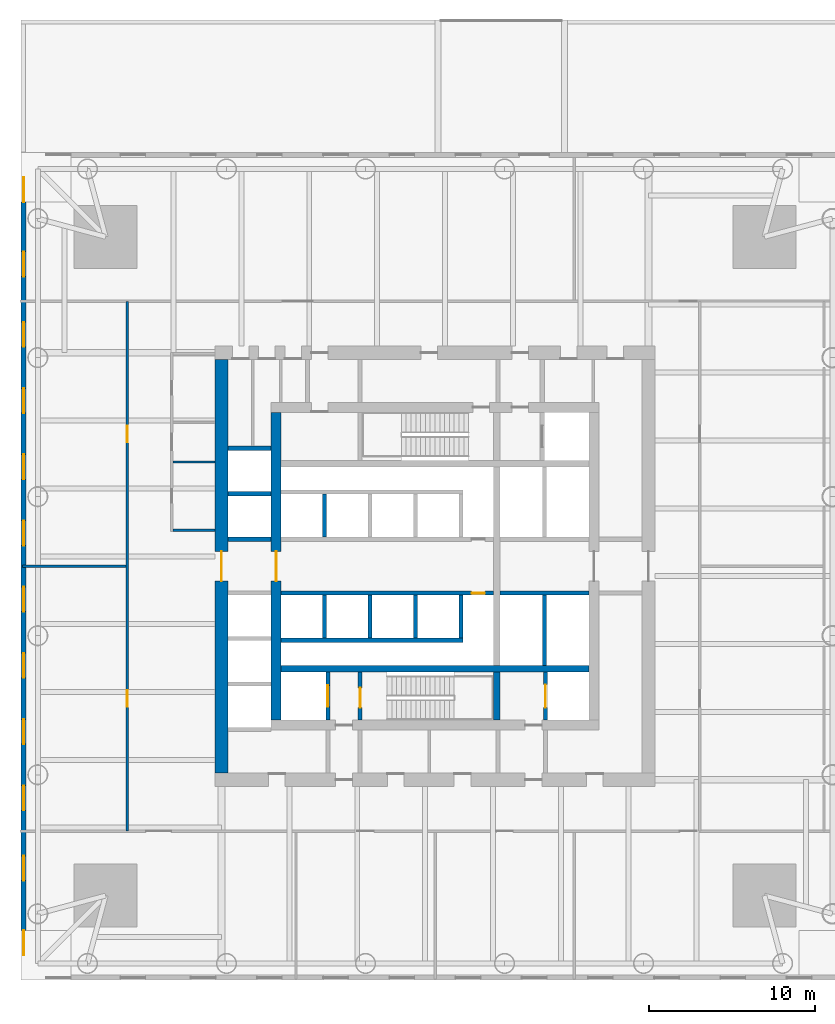
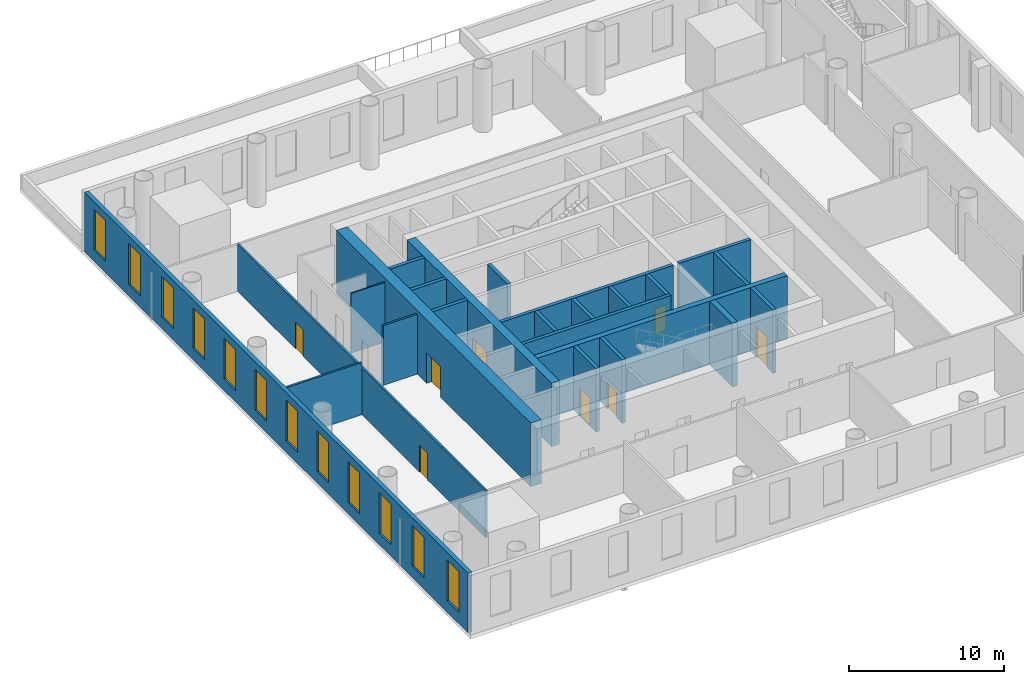
# One storey, part 6 of 16: 24 walls, 12 windows, 8 doors, 20 openings.
"""IFC4 building model written with IfcOpenShell, lengths in metres."""

from ifc_helpers import new_model, si_unit, direction, frame, frame_2d, origin, place, context, subcontext, project, spatial, rectangle, extrude, material, layer, layer_set, type_object, element, fill, save


model = new_model("IFC4")

# Units and contexts
model_context = context("Model", 3, precision=1e-05, world=origin(), true_north=direction((0.0, 1.0)))
body_context = subcontext(model_context, "Body", "Model", "MODEL_VIEW")
ifc_project = project(units=[si_unit("LENGTHUNIT", "METRE"), si_unit("AREAUNIT", "SQUARE_METRE"), si_unit("VOLUMEUNIT", "CUBIC_METRE"), si_unit("PLANEANGLEUNIT", "RADIAN"), si_unit("MASSUNIT", "GRAM", prefix="KILO")], contexts=[model_context])

# Site, building, storey
site_placement = place(None, origin())
site = spatial("IfcSite", under=ifc_project, at=site_placement, CompositionType="ELEMENT")
building_placement = place(site_placement, origin())
building = spatial("IfcBuilding", under=site, at=building_placement, Name="Ostroluk Exchange", CompositionType="ELEMENT")
storey_placement = place(building_placement, frame((0.0, 0.0, 16.0)))
storey = spatial("IfcBuildingStorey", under=building, at=storey_placement, Name="L03", CompositionType="ELEMENT", Elevation=16.0)

# Walls
ifc_material_1 = material(Name="Concrete blockwork", Category="masonry")
ifc_layer_1 = layer(ifc_material_1, 0.10009765625)
ifc_layer_set_1 = layer_set([ifc_layer_1], Name="Blockwork WC wall 100")
wall_type_1 = type_object("IfcWallType", Name="Blockwork WC wall 100", PredefinedType="SOLIDWALL", material=ifc_layer_set_1)
wall_1_placement = place(storey_placement, frame((29.175048828125, 52.300048828125, 0.0), z_axis=(0.0, 0.0, 1.0), x_axis=(1.0, 0.0, 0.0)))
element("IfcWall", 1, at=wall_1_placement, inside=storey, type_object=wall_type_1, Name="Blockwork WC wall", PredefinedType="SOLIDWALL", context=body_context, shape_type="SweptSolid", body=[
    extrude(rectangle(XDim=2.52490234375, YDim=0.10009765625, at=frame_2d((1.262451171875, 0.0))), origin(), (0.0, 0.0, 1.0), 4.699951171875),
])
ifc_material_2 = material(Name="Concrete C50/60", Category="concrete")
ifc_layer_2 = layer(ifc_material_2, 0.39990234375)
ifc_layer_set_2 = layer_set([ifc_layer_2], Name="Core cross wall 400 C50/60")
wall_type_2 = type_object("IfcWallType", Name="Core cross wall 400 C50/60", PredefinedType="SHEAR", material=ifc_layer_set_2)
wall_2_placement = place(storey_placement, frame((35.699951171875, 39.800048828125, 0.0), z_axis=(0.0, 0.0, 1.0), x_axis=(1.0, 0.0, 0.0)))
element("IfcWall", 2, at=wall_2_placement, inside=storey, type_object=wall_type_2, Name="T1 core wall XS", PredefinedType="SHEAR", context=body_context, shape_type="SweptSolid", body=[
    extrude(rectangle(XDim=18.60009765625, YDim=0.39990234375, at=frame_2d((9.300048828125, 0.0))), origin(), (0.0, 0.0, 1.0), 5.0),
])
wall_3_placement = place(storey_placement, frame((48.72998046875, 36.699951171875, 0.0), z_axis=(0.0, 0.0, 1.0), x_axis=(0.0, 1.0, 0.0)))
element("IfcWall", 3, at=wall_3_placement, inside=storey, type_object=wall_type_2, Name="T1 core wall YE1", PredefinedType="SHEAR", context=body_context, shape_type="SweptSolid", body=[
    extrude(rectangle(XDim=2.900146484375, YDim=0.39990234375, at=frame_2d((1.4501953125, 0.0))), origin(), (0.0, 0.0, 1.0), 5.0),
])

# Wall, opening, door
ifc_material_3 = material(Name="Concrete C40/50", Category="concrete")
ifc_layer_3 = layer(ifc_material_3, 0.25)
ifc_layer_set_3 = layer_set([ifc_layer_3], Name="Core shaft wall 250")
wall_type_3 = type_object("IfcWallType", Name="Core shaft wall 250", PredefinedType="SHEAR", material=ifc_layer_set_3)
wall_4_placement = place(storey_placement, frame((38.52490234375, 36.699951171875, 0.0), z_axis=(0.0, 0.0, 1.0), x_axis=(0.0, 1.0, 0.0)))
wall_4 = element("IfcWall", 4, at=wall_4_placement, inside=storey, type_object=wall_type_3, Name="Firefighting lift shaft wall", PredefinedType="SHEAR", context=body_context, shape_type="SweptSolid", body=[
    extrude(rectangle(XDim=2.900146484375, YDim=0.25, at=frame_2d((1.4501953125, 0.0))), origin(), (0.0, 0.0, 1.0), 5.0),
])
opening_1_placement = place(wall_4_placement, frame((0.800048828125, 0.0, 0.0)))
opening_1 = element("IfcOpeningElement", 5, at=opening_1_placement, cuts=wall_4, Name="Opening LD2", PredefinedType="OPENING", context=body_context, shape_type="SweptSolid", body=[
    extrude(rectangle(XDim=1.300048828125, YDim=2.199951171875, at=frame_2d((0.64990234375, 1.10009765625))), frame((0.0, 0.135009765625, 0.0), z_axis=(0.0, -1.0, 0.0), x_axis=(1.0, 0.0, 0.0)), (0.0, 0.0, 1.0), 0.27001953125),
])
ifc_material_4 = material(Name="Stainless steel", Category="steel")
door_type_1 = type_object("IfcDoorType", Name="Lift landing door E 60 1300 x 2200", OperationType="DOUBLE_DOOR_SLIDING", PredefinedType="DOOR", material=ifc_material_4)
door_1_placement = place(opening_1_placement, origin())
door_1 = element("IfcDoor", 6, at=door_1_placement, inside=storey, type_object=door_type_1, Name="Lift FL1 landing door", OperationType="DOUBLE_DOOR_SLIDING", OverallHeight=2.199951171875, OverallWidth=1.300048828125, PredefinedType="DOOR", context=body_context, shape_type="SweptSolid", body=[
    extrude(rectangle(XDim=1.300048828125, YDim=2.199951171875, at=frame_2d((0.64990234375, 1.10009765625))), frame((0.0, 0.02490234375, 0.0), z_axis=(0.0, -1.0, 0.0), x_axis=(1.0, 0.0, 0.0)), (0.0, 0.0, 1.0), 0.050048828125),
])
fill(opening_1, door_1)

wall_5_placement = place(storey_placement, frame((40.47509765625, 36.699951171875, 0.0), z_axis=(0.0, 0.0, 1.0), x_axis=(0.0, 1.0, 0.0)))
wall_5 = element("IfcWall", 7, at=wall_5_placement, inside=storey, type_object=wall_type_3, Name="Stair shaft wall", PredefinedType="SHEAR", context=body_context, shape_type="SweptSolid", body=[
    extrude(rectangle(XDim=2.900146484375, YDim=0.25, at=frame_2d((1.4501953125, 0.0))), origin(), (0.0, 0.0, 1.0), 5.0),
])
opening_2_placement = place(wall_5_placement, frame((0.75, 0.0, 0.0)))
opening_2 = element("IfcOpeningElement", 8, at=opening_2_placement, cuts=wall_5, Name="Opening FD60S", PredefinedType="OPENING", context=body_context, shape_type="SweptSolid", body=[
    extrude(rectangle(XDim=1.199951171875, YDim=2.10009765625, at=frame_2d((0.60009765625, 1.050048828125))), frame((0.0, 0.135009765625, 0.0), z_axis=(0.0, -1.0, 0.0), x_axis=(1.0, 0.0, 0.0)), (0.0, 0.0, 1.0), 0.27001953125),
])
ifc_material_5 = material(Name="Steel", Category="steel")
door_type_2 = type_object("IfcDoorType", Name="Stair door EI 60 1200 x 2100", OperationType="SINGLE_SWING_LEFT", PredefinedType="DOOR", material=ifc_material_5)
door_2_placement = place(opening_2_placement, origin())
door_2 = element("IfcDoor", 9, at=door_2_placement, inside=storey, type_object=door_type_2, Name="Stair T1-S1 door", OperationType="SINGLE_SWING_LEFT", OverallHeight=2.10009765625, OverallWidth=1.199951171875, PredefinedType="DOOR", context=body_context, shape_type="SweptSolid", body=[
    extrude(rectangle(XDim=1.199951171875, YDim=2.10009765625, at=frame_2d((0.60009765625, 1.050048828125))), frame((0.0, 0.02490234375, 0.0), z_axis=(0.0, -1.0, 0.0), x_axis=(1.0, 0.0, 0.0)), (0.0, 0.0, 1.0), 0.050048828125),
])
fill(opening_2, door_2)

wall_6_placement = place(storey_placement, frame((51.675048828125, 36.699951171875, 0.0), z_axis=(0.0, 0.0, 1.0), x_axis=(0.0, 1.0, 0.0)))
wall_6 = element("IfcWall", 10, at=wall_6_placement, inside=storey, type_object=wall_type_3, Name="Service lift shaft wall", PredefinedType="SHEAR", context=body_context, shape_type="SweptSolid", body=[
    extrude(rectangle(XDim=2.900146484375, YDim=0.25, at=frame_2d((1.4501953125, 0.0))), origin(), (0.0, 0.0, 1.0), 5.0),
])
opening_3_placement = place(wall_6_placement, frame((0.75, 0.0, 0.0)))
opening_3 = element("IfcOpeningElement", 11, at=opening_3_placement, cuts=wall_6, Name="Opening LD3", PredefinedType="OPENING", context=body_context, shape_type="SweptSolid", body=[
    extrude(rectangle(XDim=1.39990234375, YDim=2.39990234375, at=frame_2d((0.699951171875, 1.199951171875))), frame((0.0, 0.135009765625, 0.0), z_axis=(0.0, -1.0, 0.0), x_axis=(1.0, 0.0, 0.0)), (0.0, 0.0, 1.0), 0.27001953125),
])
ifc_material_6 = material(Name="Stainless steel", Category="steel")
door_type_3 = type_object("IfcDoorType", Name="Goods lift landing door E 60 1400 x 2400", OperationType="DOUBLE_DOOR_SLIDING", PredefinedType="DOOR", material=ifc_material_6)
door_3_placement = place(opening_3_placement, origin())
door_3 = element("IfcDoor", 12, at=door_3_placement, inside=storey, type_object=door_type_3, Name="Lift SL1 landing door", OperationType="DOUBLE_DOOR_SLIDING", OverallHeight=2.39990234375, OverallWidth=1.39990234375, PredefinedType="DOOR", context=body_context, shape_type="SweptSolid", body=[
    extrude(rectangle(XDim=1.39990234375, YDim=2.39990234375, at=frame_2d((0.699951171875, 1.199951171875))), frame((0.0, 0.02490234375, 0.0), z_axis=(0.0, -1.0, 0.0), x_axis=(1.0, 0.0, 0.0)), (0.0, 0.0, 1.0), 0.050048828125),
])
fill(opening_3, door_3)

# Walls
for number, where, z_axis, x_axis, name in (
    (13, (38.324951171875, 47.75, 0.0), (0.0, 0.0, 1.0), (0.0, 1.0, 0.0), "Lift shaft wall"),
    (14, (38.324951171875, 44.25, 0.0), (0.0, 0.0, 1.0), (0.0, -1.0, 0.0), "Lift shaft wall"),
    (15, (41.074951171875, 44.25, 0.0), (0.0, 0.0, 1.0), (0.0, -1.0, 0.0), "Lift shaft wall"),
    (16, (43.824951171875, 44.25, 0.0), (0.0, 0.0, 1.0), (0.0, -1.0, 0.0), "Lift shaft wall"),
    (17, (46.574951171875, 44.25, 0.0), (0.0, 0.0, 1.0), (0.0, -1.0, 0.0), "Lift shaft wall"),
):
    element("IfcWall", number, at=place(storey_placement, frame(where, z_axis=z_axis, x_axis=x_axis)), inside=storey, type_object=wall_type_3, Name=name, PredefinedType="SHEAR", context=body_context, shape_type="SweptSolid", body=[
        extrude(rectangle(XDim=2.60009765625, YDim=0.25, at=frame_2d((1.300048828125, 0.0))), origin(), (0.0, 0.0, 1.0), 5.0),
    ])
wall_7_placement = place(storey_placement, frame((35.699951171875, 41.52490234375, 0.0), z_axis=(0.0, 0.0, 1.0), x_axis=(1.0, 0.0, 0.0)))
element("IfcWall", 18, at=wall_7_placement, inside=storey, type_object=wall_type_3, Name="Lift shaft wall", PredefinedType="SHEAR", context=body_context, shape_type="SweptSolid", body=[
    extrude(rectangle(XDim=11.0, YDim=0.25, at=frame_2d((5.5, 0.0))), origin(), (0.0, 0.0, 1.0), 5.0),
])

# Wall, opening, door
wall_8_placement = place(storey_placement, frame((35.699951171875, 44.375, 0.0), z_axis=(0.0, 0.0, 1.0), x_axis=(1.0, 0.0, 0.0)))
wall_8 = element("IfcWall", 19, at=wall_8_placement, inside=storey, type_object=wall_type_3, Name="Lift shaft front wall", PredefinedType="SHEAR", context=body_context, shape_type="SweptSolid", body=[
    extrude(rectangle(XDim=12.830078125, YDim=0.25, at=frame_2d((6.4150390625, 0.0))), origin(), (0.0, 0.0, 1.0), 5.0),
])
opening_4_placement = place(wall_8_placement, frame((11.514892578125, 0.0, 0.0)))
opening_4 = element("IfcOpeningElement", 20, at=opening_4_placement, cuts=wall_8, Name="Opening RD60", PredefinedType="OPENING", context=body_context, shape_type="SweptSolid", body=[
    extrude(rectangle(XDim=0.800048828125, YDim=2.0, at=frame_2d((0.39990234375, 1.0))), frame((0.0, 0.135009765625, 0.0), z_axis=(0.0, -1.0, 0.0), x_axis=(1.0, 0.0, 0.0)), (0.0, 0.0, 1.0), 0.27001953125),
])
ifc_material_7 = material(Name="Steel", Category="steel")
door_type_4 = type_object("IfcDoorType", Name="Riser access door EI 60 800 x 2000", OperationType="SINGLE_SWING_LEFT", PredefinedType="DOOR", material=ifc_material_7)
door_4_placement = place(opening_4_placement, origin())
door_4 = element("IfcDoor", 21, at=door_4_placement, inside=storey, type_object=door_type_4, Name="Riser access door", OperationType="SINGLE_SWING_RIGHT", OverallHeight=2.0, OverallWidth=0.800048828125, PredefinedType="DOOR", context=body_context, shape_type="SweptSolid", body=[
    extrude(rectangle(XDim=0.800048828125, YDim=2.0, at=frame_2d((0.39990234375, 1.0))), frame((0.0, 0.02490234375, 0.0), z_axis=(0.0, -1.0, 0.0), x_axis=(1.0, 0.0, 0.0)), (0.0, 0.0, 1.0), 0.050048828125),
])
fill(opening_4, door_4)

# Walls
wall_9_placement = place(storey_placement, frame((51.614990234375, 44.25, 0.0), z_axis=(0.0, 0.0, 1.0), x_axis=(0.0, -1.0, 0.0)))
element("IfcWall", 22, at=wall_9_placement, inside=storey, type_object=wall_type_3, Name="Lift shaft wall", PredefinedType="SHEAR", context=body_context, shape_type="SweptSolid", body=[
    extrude(rectangle(XDim=4.25, YDim=0.25, at=frame_2d((2.125, 0.0))), origin(), (0.0, 0.0, 1.0), 5.0),
])
wall_10_placement = place(storey_placement, frame((48.929931640625, 44.375, 0.0), z_axis=(0.0, 0.0, 1.0), x_axis=(1.0, 0.0, 0.0)))
element("IfcWall", 23, at=wall_10_placement, inside=storey, type_object=wall_type_3, Name="Lift shaft front wall", PredefinedType="SHEAR", context=body_context, shape_type="SweptSolid", body=[
    extrude(rectangle(XDim=5.3701171875, YDim=0.25, at=frame_2d((2.68505859375, 0.0))), origin(), (0.0, 0.0, 1.0), 5.0),
])
for number, where, z_axis, x_axis, name in (
    (24, (32.5, 47.625, 0.0), (0.0, 0.0, 1.0), (1.0, 0.0, 0.0), "Lift shaft wall"),
    (25, (32.5, 50.375, 0.0), (0.0, 0.0, 1.0), (1.0, 0.0, 0.0), "Lift shaft wall"),
    (26, (32.5, 53.125, 0.0), (0.0, 0.0, 1.0), (1.0, 0.0, 0.0), "Lift shaft wall"),
):
    element("IfcWall", number, at=place(storey_placement, frame(where, z_axis=z_axis, x_axis=x_axis)), inside=storey, type_object=wall_type_3, Name=name, PredefinedType="SHEAR", context=body_context, shape_type="SweptSolid", body=[
        extrude(rectangle(XDim=2.60009765625, YDim=0.25, at=frame_2d((1.300048828125, 0.0))), origin(), (0.0, 0.0, 1.0), 5.0),
    ])

# Wall, opening, door
ifc_material_8 = material(Name="Concrete C50/60", Category="concrete")
ifc_layer_4 = layer(ifc_material_8, 0.60009765625)
ifc_layer_set_4 = layer_set([ifc_layer_4], Name="Core wall 600 C50/60")
wall_type_4 = type_object("IfcWallType", Name="Core wall 600 C50/60", PredefinedType="SHEAR", material=ifc_layer_set_4)
wall_11_placement = place(storey_placement, frame((35.39990234375, 36.699951171875, 0.0), z_axis=(0.0, 0.0, 1.0), x_axis=(0.0, 1.0, 0.0)))
wall_11 = element("IfcWall", 27, at=wall_11_placement, inside=storey, type_object=wall_type_4, Name="T1 core wall W", PredefinedType="SHEAR", context=body_context, shape_type="SweptSolid", body=[
    extrude(rectangle(XDim=18.60009765625, YDim=0.60009765625, at=frame_2d((9.300048828125, 0.0))), origin(), (0.0, 0.0, 1.0), 5.0),
])
opening_5_placement = place(wall_11_placement, frame((8.39990234375, 0.0, 0.0)))
opening_5 = element("IfcOpeningElement", 28, at=opening_5_placement, cuts=wall_11, Name="Opening FD30D", PredefinedType="OPENING", context=body_context, shape_type="SweptSolid", body=[
    extrude(rectangle(XDim=1.800048828125, YDim=2.39990234375, at=frame_2d((0.89990234375, 1.199951171875))), frame((0.0, 0.31005859375, 0.0), z_axis=(0.0, -1.0, 0.0), x_axis=(1.0, 0.0, 0.0)), (0.0, 0.0, 1.0), 0.6201171875),
])
ifc_material_9 = material(Name="Timber", Category="wood")
door_type_5 = type_object("IfcDoorType", Name="Lobby double door EI 30 1800 x 2400", OperationType="DOUBLE_DOOR_SINGLE_SWING", PredefinedType="DOOR", material=ifc_material_9)
door_5_placement = place(opening_5_placement, origin())
door_5 = element("IfcDoor", 29, at=door_5_placement, inside=storey, type_object=door_type_5, Name="Lift lobby doors", OperationType="DOUBLE_DOOR_SINGLE_SWING", OverallHeight=2.39990234375, OverallWidth=1.800048828125, PredefinedType="DOOR", context=body_context, shape_type="SweptSolid", body=[
    extrude(rectangle(XDim=1.800048828125, YDim=2.39990234375, at=frame_2d((0.89990234375, 1.199951171875))), frame((0.0, 0.02490234375, 0.0), z_axis=(0.0, -1.0, 0.0), x_axis=(1.0, 0.0, 0.0)), (0.0, 0.0, 1.0), 0.050048828125),
])
fill(opening_5, door_5)

ifc_material_10 = material(Name="Concrete C50/60", Category="concrete")
ifc_layer_5 = layer(ifc_material_10, 0.800048828125)
ifc_layer_set_5 = layer_set([ifc_layer_5], Name="Core wall 800 C50/60")
wall_type_5 = type_object("IfcWallType", Name="Core wall 800 C50/60", PredefinedType="SHEAR", material=ifc_layer_set_5)
wall_12_placement = place(storey_placement, frame((32.10009765625, 33.5, 0.0), z_axis=(0.0, 0.0, 1.0), x_axis=(0.0, 1.0, 0.0)))
wall_12 = element("IfcWall", 30, at=wall_12_placement, inside=storey, type_object=wall_type_5, Name="T1 core wall RW", PredefinedType="SHEAR", context=body_context, shape_type="SweptSolid", body=[
    extrude(rectangle(XDim=25.0, YDim=0.800048828125, at=frame_2d((12.5, 0.0))), origin(), (0.0, 0.0, 1.0), 5.0),
])
opening_6_placement = place(wall_12_placement, frame((11.60009765625, 0.0, 0.0)))
opening_6 = element("IfcOpeningElement", 31, at=opening_6_placement, cuts=wall_12, Name="Opening FD30D", PredefinedType="OPENING", context=body_context, shape_type="SweptSolid", body=[
    extrude(rectangle(XDim=1.800048828125, YDim=2.39990234375, at=frame_2d((0.89990234375, 1.199951171875))), frame((0.0, 0.409912109375, 0.0), z_axis=(0.0, -1.0, 0.0), x_axis=(1.0, 0.0, 0.0)), (0.0, 0.0, 1.0), 0.820068359375),
])
door_6_placement = place(opening_6_placement, origin())
door_6 = element("IfcDoor", 32, at=door_6_placement, inside=storey, type_object=door_type_5, Name="Lift lobby doors", OperationType="DOUBLE_DOOR_SINGLE_SWING", OverallHeight=2.39990234375, OverallWidth=1.800048828125, PredefinedType="DOOR", context=body_context, shape_type="SweptSolid", body=[
    extrude(rectangle(XDim=1.800048828125, YDim=2.39990234375, at=frame_2d((0.89990234375, 1.199951171875))), frame((0.0, 0.02490234375, 0.0), z_axis=(0.0, -1.0, 0.0), x_axis=(1.0, 0.0, 0.0)), (0.0, 0.0, 1.0), 0.050048828125),
])
fill(opening_6, door_6)

# Wall, openings, windows
ifc_material_11 = material(Name="Limestone", Category="masonry")
ifc_layer_6 = layer(ifc_material_11, 0.300048828125)
ifc_layer_set_6 = layer_set([ifc_layer_6], Name="Limestone facade wall 300")
wall_type_6 = type_object("IfcWallType", Name="Limestone facade wall 300", PredefinedType="SOLIDWALL", material=ifc_layer_set_6)
wall_13_placement = place(storey_placement, frame((20.14990234375, 70.699951171875, 0.0), z_axis=(0.0, 0.0, 1.0), x_axis=(0.0, -1.0, 0.0)))
wall_13 = element("IfcWall", 33, at=wall_13_placement, inside=storey, type_object=wall_type_6, Name="Podium west W wall L03 1a", PredefinedType="SOLIDWALL", context=body_context, shape_type="SweptSolid", body=[
    extrude(rectangle(XDim=49.39990234375, YDim=0.300048828125, at=frame_2d((24.699951171875, 0.0))), origin(), (0.0, 0.0, 1.0), 4.699951171875),
])
opening_7_placement = place(wall_13_placement, frame((1.199951171875, 0.0, 0.89990234375)))
opening_7 = element("IfcOpeningElement", 34, at=opening_7_placement, cuts=wall_13, Name="Opening WN-L2", PredefinedType="OPENING", context=body_context, shape_type="SweptSolid", body=[
    extrude(rectangle(XDim=1.5, YDim=3.199951171875, at=frame_2d((0.75, 1.60009765625))), frame((0.0, 0.159912109375, 0.0), z_axis=(0.0, -1.0, 0.0), x_axis=(1.0, 0.0, 0.0)), (0.0, 0.0, 1.0), 0.320068359375),
])
opening_8_placement = place(wall_13_placement, frame((5.699951171875, 0.0, 0.89990234375)))
opening_8 = element("IfcOpeningElement", 35, at=opening_8_placement, cuts=wall_13, Name="Opening WN-L2", PredefinedType="OPENING", context=body_context, shape_type="SweptSolid", body=[
    extrude(rectangle(XDim=1.5, YDim=3.199951171875, at=frame_2d((0.75, 1.60009765625))), frame((0.0, 0.159912109375, 0.0), z_axis=(0.0, -1.0, 0.0), x_axis=(1.0, 0.0, 0.0)), (0.0, 0.0, 1.0), 0.320068359375),
])
opening_9_placement = place(wall_13_placement, frame((9.949951171875, 0.0, 0.89990234375)))
opening_9 = element("IfcOpeningElement", 36, at=opening_9_placement, cuts=wall_13, Name="Opening WN-L2", PredefinedType="OPENING", context=body_context, shape_type="SweptSolid", body=[
    extrude(rectangle(XDim=1.5, YDim=3.199951171875, at=frame_2d((0.75, 1.60009765625))), frame((0.0, 0.159912109375, 0.0), z_axis=(0.0, -1.0, 0.0), x_axis=(1.0, 0.0, 0.0)), (0.0, 0.0, 1.0), 0.320068359375),
])
opening_10_placement = place(wall_13_placement, frame((13.949951171875, 0.0, 0.89990234375)))
opening_10 = element("IfcOpeningElement", 37, at=opening_10_placement, cuts=wall_13, Name="Opening WN-L2", PredefinedType="OPENING", context=body_context, shape_type="SweptSolid", body=[
    extrude(rectangle(XDim=1.5, YDim=3.199951171875, at=frame_2d((0.75, 1.60009765625))), frame((0.0, 0.159912109375, 0.0), z_axis=(0.0, -1.0, 0.0), x_axis=(1.0, 0.0, 0.0)), (0.0, 0.0, 1.0), 0.320068359375),
])
opening_11_placement = place(wall_13_placement, frame((17.949951171875, 0.0, 0.89990234375)))
opening_11 = element("IfcOpeningElement", 38, at=opening_11_placement, cuts=wall_13, Name="Opening WN-L2", PredefinedType="OPENING", context=body_context, shape_type="SweptSolid", body=[
    extrude(rectangle(XDim=1.5, YDim=3.199951171875, at=frame_2d((0.75, 1.60009765625))), frame((0.0, 0.159912109375, 0.0), z_axis=(0.0, -1.0, 0.0), x_axis=(1.0, 0.0, 0.0)), (0.0, 0.0, 1.0), 0.320068359375),
])
opening_12_placement = place(wall_13_placement, frame((21.949951171875, 0.0, 0.89990234375)))
opening_12 = element("IfcOpeningElement", 39, at=opening_12_placement, cuts=wall_13, Name="Opening WN-L2", PredefinedType="OPENING", context=body_context, shape_type="SweptSolid", body=[
    extrude(rectangle(XDim=1.5, YDim=3.199951171875, at=frame_2d((0.75, 1.60009765625))), frame((0.0, 0.159912109375, 0.0), z_axis=(0.0, -1.0, 0.0), x_axis=(1.0, 0.0, 0.0)), (0.0, 0.0, 1.0), 0.320068359375),
])
opening_13_placement = place(wall_13_placement, frame((25.949951171875, 0.0, 0.89990234375)))
opening_13 = element("IfcOpeningElement", 40, at=opening_13_placement, cuts=wall_13, Name="Opening WN-L2", PredefinedType="OPENING", context=body_context, shape_type="SweptSolid", body=[
    extrude(rectangle(XDim=1.5, YDim=3.199951171875, at=frame_2d((0.75, 1.60009765625))), frame((0.0, 0.159912109375, 0.0), z_axis=(0.0, -1.0, 0.0), x_axis=(1.0, 0.0, 0.0)), (0.0, 0.0, 1.0), 0.320068359375),
])
opening_14_placement = place(wall_13_placement, frame((29.949951171875, 0.0, 0.89990234375)))
opening_14 = element("IfcOpeningElement", 41, at=opening_14_placement, cuts=wall_13, Name="Opening WN-L2", PredefinedType="OPENING", context=body_context, shape_type="SweptSolid", body=[
    extrude(rectangle(XDim=1.5, YDim=3.199951171875, at=frame_2d((0.75, 1.60009765625))), frame((0.0, 0.159912109375, 0.0), z_axis=(0.0, -1.0, 0.0), x_axis=(1.0, 0.0, 0.0)), (0.0, 0.0, 1.0), 0.320068359375),
])
opening_15_placement = place(wall_13_placement, frame((33.949951171875, 0.0, 0.89990234375)))
opening_15 = element("IfcOpeningElement", 42, at=opening_15_placement, cuts=wall_13, Name="Opening WN-L2", PredefinedType="OPENING", context=body_context, shape_type="SweptSolid", body=[
    extrude(rectangle(XDim=1.5, YDim=3.199951171875, at=frame_2d((0.75, 1.60009765625))), frame((0.0, 0.159912109375, 0.0), z_axis=(0.0, -1.0, 0.0), x_axis=(1.0, 0.0, 0.0)), (0.0, 0.0, 1.0), 0.320068359375),
])
opening_16_placement = place(wall_13_placement, frame((37.949951171875, 0.0, 0.89990234375)))
opening_16 = element("IfcOpeningElement", 43, at=opening_16_placement, cuts=wall_13, Name="Opening WN-L2", PredefinedType="OPENING", context=body_context, shape_type="SweptSolid", body=[
    extrude(rectangle(XDim=1.5, YDim=3.199951171875, at=frame_2d((0.75, 1.60009765625))), frame((0.0, 0.159912109375, 0.0), z_axis=(0.0, -1.0, 0.0), x_axis=(1.0, 0.0, 0.0)), (0.0, 0.0, 1.0), 0.320068359375),
])
opening_17_placement = place(wall_13_placement, frame((42.199951171875, 0.0, 0.89990234375)))
opening_17 = element("IfcOpeningElement", 44, at=opening_17_placement, cuts=wall_13, Name="Opening WN-L2", PredefinedType="OPENING", context=body_context, shape_type="SweptSolid", body=[
    extrude(rectangle(XDim=1.5, YDim=3.199951171875, at=frame_2d((0.75, 1.60009765625))), frame((0.0, 0.159912109375, 0.0), z_axis=(0.0, -1.0, 0.0), x_axis=(1.0, 0.0, 0.0)), (0.0, 0.0, 1.0), 0.320068359375),
])
opening_18_placement = place(wall_13_placement, frame((46.699951171875, 0.0, 0.89990234375)))
opening_18 = element("IfcOpeningElement", 45, at=opening_18_placement, cuts=wall_13, Name="Opening WN-L2", PredefinedType="OPENING", context=body_context, shape_type="SweptSolid", body=[
    extrude(rectangle(XDim=1.5, YDim=3.199951171875, at=frame_2d((0.75, 1.60009765625))), frame((0.0, 0.159912109375, 0.0), z_axis=(0.0, -1.0, 0.0), x_axis=(1.0, 0.0, 0.0)), (0.0, 0.0, 1.0), 0.320068359375),
])
ifc_material_12 = material(Name="Laminated clear glass", Category="glass")
window_type = type_object("IfcWindowType", Name="Podium lancet window 1500 x 3200", PartitioningType="DOUBLE_PANEL_VERTICAL", PredefinedType="WINDOW", material=ifc_material_12)
window_1_placement = place(opening_7_placement, origin())
window_1 = element("IfcWindow", 46, at=window_1_placement, inside=storey, type_object=window_type, Name="Podium west lancet window W L03 1.1", OverallHeight=3.199951171875, OverallWidth=1.5, PartitioningType="SINGLE_PANEL", PredefinedType="WINDOW", context=body_context, shape_type="SweptSolid", body=[
    extrude(rectangle(XDim=1.5, YDim=3.199951171875, at=frame_2d((0.75, 1.60009765625))), frame((0.0, 0.030029296875, 0.0), z_axis=(0.0, -1.0, 0.0), x_axis=(1.0, 0.0, 0.0)), (0.0, 0.0, 1.0), 0.06005859375),
])
fill(opening_7, window_1)
window_2_placement = place(opening_8_placement, origin())
window_2 = element("IfcWindow", 47, at=window_2_placement, inside=storey, type_object=window_type, Name="Podium west lancet window W L03 1.2", OverallHeight=3.199951171875, OverallWidth=1.5, PartitioningType="SINGLE_PANEL", PredefinedType="WINDOW", context=body_context, shape_type="SweptSolid", body=[
    extrude(rectangle(XDim=1.5, YDim=3.199951171875, at=frame_2d((0.75, 1.60009765625))), frame((0.0, 0.030029296875, 0.0), z_axis=(0.0, -1.0, 0.0), x_axis=(1.0, 0.0, 0.0)), (0.0, 0.0, 1.0), 0.06005859375),
])
fill(opening_8, window_2)
window_3_placement = place(opening_9_placement, origin())
window_3 = element("IfcWindow", 48, at=window_3_placement, inside=storey, type_object=window_type, Name="Podium west lancet window W L03 2.1", OverallHeight=3.199951171875, OverallWidth=1.5, PartitioningType="SINGLE_PANEL", PredefinedType="WINDOW", context=body_context, shape_type="SweptSolid", body=[
    extrude(rectangle(XDim=1.5, YDim=3.199951171875, at=frame_2d((0.75, 1.60009765625))), frame((0.0, 0.030029296875, 0.0), z_axis=(0.0, -1.0, 0.0), x_axis=(1.0, 0.0, 0.0)), (0.0, 0.0, 1.0), 0.06005859375),
])
fill(opening_9, window_3)
window_4_placement = place(opening_10_placement, origin())
window_4 = element("IfcWindow", 49, at=window_4_placement, inside=storey, type_object=window_type, Name="Podium west lancet window W L03 2.2", OverallHeight=3.199951171875, OverallWidth=1.5, PartitioningType="SINGLE_PANEL", PredefinedType="WINDOW", context=body_context, shape_type="SweptSolid", body=[
    extrude(rectangle(XDim=1.5, YDim=3.199951171875, at=frame_2d((0.75, 1.60009765625))), frame((0.0, 0.030029296875, 0.0), z_axis=(0.0, -1.0, 0.0), x_axis=(1.0, 0.0, 0.0)), (0.0, 0.0, 1.0), 0.06005859375),
])
fill(opening_10, window_4)
window_5_placement = place(opening_11_placement, origin())
window_5 = element("IfcWindow", 50, at=window_5_placement, inside=storey, type_object=window_type, Name="Podium west lancet window W L03 3.1", OverallHeight=3.199951171875, OverallWidth=1.5, PartitioningType="SINGLE_PANEL", PredefinedType="WINDOW", context=body_context, shape_type="SweptSolid", body=[
    extrude(rectangle(XDim=1.5, YDim=3.199951171875, at=frame_2d((0.75, 1.60009765625))), frame((0.0, 0.030029296875, 0.0), z_axis=(0.0, -1.0, 0.0), x_axis=(1.0, 0.0, 0.0)), (0.0, 0.0, 1.0), 0.06005859375),
])
fill(opening_11, window_5)
window_6_placement = place(opening_12_placement, origin())
window_6 = element("IfcWindow", 51, at=window_6_placement, inside=storey, type_object=window_type, Name="Podium west lancet window W L03 3.2", OverallHeight=3.199951171875, OverallWidth=1.5, PartitioningType="SINGLE_PANEL", PredefinedType="WINDOW", context=body_context, shape_type="SweptSolid", body=[
    extrude(rectangle(XDim=1.5, YDim=3.199951171875, at=frame_2d((0.75, 1.60009765625))), frame((0.0, 0.030029296875, 0.0), z_axis=(0.0, -1.0, 0.0), x_axis=(1.0, 0.0, 0.0)), (0.0, 0.0, 1.0), 0.06005859375),
])
fill(opening_12, window_6)
window_7_placement = place(opening_13_placement, origin())
window_7 = element("IfcWindow", 52, at=window_7_placement, inside=storey, type_object=window_type, Name="Podium west lancet window W L03 4.1", OverallHeight=3.199951171875, OverallWidth=1.5, PartitioningType="SINGLE_PANEL", PredefinedType="WINDOW", context=body_context, shape_type="SweptSolid", body=[
    extrude(rectangle(XDim=1.5, YDim=3.199951171875, at=frame_2d((0.75, 1.60009765625))), frame((0.0, 0.030029296875, 0.0), z_axis=(0.0, -1.0, 0.0), x_axis=(1.0, 0.0, 0.0)), (0.0, 0.0, 1.0), 0.06005859375),
])
fill(opening_13, window_7)
window_8_placement = place(opening_14_placement, origin())
window_8 = element("IfcWindow", 53, at=window_8_placement, inside=storey, type_object=window_type, Name="Podium west lancet window W L03 4.2", OverallHeight=3.199951171875, OverallWidth=1.5, PartitioningType="SINGLE_PANEL", PredefinedType="WINDOW", context=body_context, shape_type="SweptSolid", body=[
    extrude(rectangle(XDim=1.5, YDim=3.199951171875, at=frame_2d((0.75, 1.60009765625))), frame((0.0, 0.030029296875, 0.0), z_axis=(0.0, -1.0, 0.0), x_axis=(1.0, 0.0, 0.0)), (0.0, 0.0, 1.0), 0.06005859375),
])
fill(opening_14, window_8)
window_9_placement = place(opening_15_placement, origin())
window_9 = element("IfcWindow", 54, at=window_9_placement, inside=storey, type_object=window_type, Name="Podium west lancet window W L03 5.1", OverallHeight=3.199951171875, OverallWidth=1.5, PartitioningType="SINGLE_PANEL", PredefinedType="WINDOW", context=body_context, shape_type="SweptSolid", body=[
    extrude(rectangle(XDim=1.5, YDim=3.199951171875, at=frame_2d((0.75, 1.60009765625))), frame((0.0, 0.030029296875, 0.0), z_axis=(0.0, -1.0, 0.0), x_axis=(1.0, 0.0, 0.0)), (0.0, 0.0, 1.0), 0.06005859375),
])
fill(opening_15, window_9)
window_10_placement = place(opening_16_placement, origin())
window_10 = element("IfcWindow", 55, at=window_10_placement, inside=storey, type_object=window_type, Name="Podium west lancet window W L03 5.2", OverallHeight=3.199951171875, OverallWidth=1.5, PartitioningType="SINGLE_PANEL", PredefinedType="WINDOW", context=body_context, shape_type="SweptSolid", body=[
    extrude(rectangle(XDim=1.5, YDim=3.199951171875, at=frame_2d((0.75, 1.60009765625))), frame((0.0, 0.030029296875, 0.0), z_axis=(0.0, -1.0, 0.0), x_axis=(1.0, 0.0, 0.0)), (0.0, 0.0, 1.0), 0.06005859375),
])
fill(opening_16, window_10)
window_11_placement = place(opening_17_placement, origin())
window_11 = element("IfcWindow", 56, at=window_11_placement, inside=storey, type_object=window_type, Name="Podium west lancet window W L03 6.1", OverallHeight=3.199951171875, OverallWidth=1.5, PartitioningType="SINGLE_PANEL", PredefinedType="WINDOW", context=body_context, shape_type="SweptSolid", body=[
    extrude(rectangle(XDim=1.5, YDim=3.199951171875, at=frame_2d((0.75, 1.60009765625))), frame((0.0, 0.030029296875, 0.0), z_axis=(0.0, -1.0, 0.0), x_axis=(1.0, 0.0, 0.0)), (0.0, 0.0, 1.0), 0.06005859375),
])
fill(opening_17, window_11)
window_12_placement = place(opening_18_placement, origin())
window_12 = element("IfcWindow", 57, at=window_12_placement, inside=storey, type_object=window_type, Name="Podium west lancet window W L03 6.2", OverallHeight=3.199951171875, OverallWidth=1.5, PartitioningType="SINGLE_PANEL", PredefinedType="WINDOW", context=body_context, shape_type="SweptSolid", body=[
    extrude(rectangle(XDim=1.5, YDim=3.199951171875, at=frame_2d((0.75, 1.60009765625))), frame((0.0, 0.030029296875, 0.0), z_axis=(0.0, -1.0, 0.0), x_axis=(1.0, 0.0, 0.0)), (0.0, 0.0, 1.0), 0.06005859375),
])
fill(opening_18, window_12)

# Wall, openings, doors
ifc_material_13 = material(Name="Gypsum plasterboard partition", Category="gypsum")
ifc_layer_7 = layer(ifc_material_13, 0.14990234375)
ifc_layer_set_7 = layer_set([ifc_layer_7], Name="Plasterboard partition 150")
wall_type_7 = type_object("IfcWallType", Name="Plasterboard partition 150", PredefinedType="PARTITIONING", material=ifc_layer_set_7)
wall_14_placement = place(storey_placement, frame((26.39990234375, 30.0, 0.0), z_axis=(0.0, 0.0, 1.0), x_axis=(0.0, 1.0, 0.0)))
wall_14 = element("IfcWall", 58, at=wall_14_placement, inside=storey, type_object=wall_type_7, Name="Partition", PredefinedType="PARTITIONING", context=body_context, shape_type="SweptSolid", body=[
    extrude(rectangle(XDim=32.0, YDim=0.14990234375, at=frame_2d((16.0, 0.0))), origin(), (0.0, 0.0, 1.0), 3.68798828125),
])
opening_19_placement = place(wall_14_placement, frame((7.5, 0.0, 0.0)))
opening_19 = element("IfcOpeningElement", 59, at=opening_19_placement, cuts=wall_14, Name="Opening D-03", PredefinedType="OPENING", context=body_context, shape_type="SweptSolid", body=[
    extrude(rectangle(XDim=1.0, YDim=2.10009765625, at=frame_2d((0.5, 1.050048828125))), frame((0.0, 0.0849609375, 0.0), z_axis=(0.0, -1.0, 0.0), x_axis=(1.0, 0.0, 0.0)), (0.0, 0.0, 1.0), 0.169921875),
])
opening_20_placement = place(wall_14_placement, frame((23.5, 0.0, 0.0)))
opening_20 = element("IfcOpeningElement", 60, at=opening_20_placement, cuts=wall_14, Name="Opening D-03", PredefinedType="OPENING", context=body_context, shape_type="SweptSolid", body=[
    extrude(rectangle(XDim=1.0, YDim=2.10009765625, at=frame_2d((0.5, 1.050048828125))), frame((0.0, 0.0849609375, 0.0), z_axis=(0.0, -1.0, 0.0), x_axis=(1.0, 0.0, 0.0)), (0.0, 0.0, 1.0), 0.169921875),
])
ifc_material_14 = material(Name="Timber", Category="wood")
door_type_6 = type_object("IfcDoorType", Name="Internal door 1000 x 2100", OperationType="SINGLE_SWING_LEFT", PredefinedType="DOOR", material=ifc_material_14)
door_7_placement = place(opening_19_placement, origin())
door_7 = element("IfcDoor", 61, at=door_7_placement, inside=storey, type_object=door_type_6, Name="Cold store door", OperationType="SINGLE_SWING_LEFT", OverallHeight=2.10009765625, OverallWidth=1.0, PredefinedType="DOOR", context=body_context, shape_type="SweptSolid", body=[
    extrude(rectangle(XDim=1.0, YDim=2.10009765625, at=frame_2d((0.5, 1.050048828125))), frame((0.0, 0.02490234375, 0.0), z_axis=(0.0, -1.0, 0.0), x_axis=(1.0, 0.0, 0.0)), (0.0, 0.0, 1.0), 0.050048828125),
])
fill(opening_19, door_7)
door_8_placement = place(opening_20_placement, origin())
door_8 = element("IfcDoor", 62, at=door_8_placement, inside=storey, type_object=door_type_6, Name="Dry store door", OperationType="SINGLE_SWING_RIGHT", OverallHeight=2.10009765625, OverallWidth=1.0, PredefinedType="DOOR", context=body_context, shape_type="SweptSolid", body=[
    extrude(rectangle(XDim=1.0, YDim=2.10009765625, at=frame_2d((0.5, 1.050048828125))), frame((0.0, 0.02490234375, 0.0), z_axis=(0.0, -1.0, 0.0), x_axis=(1.0, 0.0, 0.0)), (0.0, 0.0, 1.0), 0.050048828125),
])
fill(opening_20, door_8)

# Walls
wall_15_placement = place(storey_placement, frame((20.074951171875, 46.0, 0.0), z_axis=(0.0, 0.0, 1.0), x_axis=(1.0, 0.0, 0.0)))
element("IfcWall", 63, at=wall_15_placement, inside=storey, type_object=wall_type_7, Name="Partition", PredefinedType="PARTITIONING", context=body_context, shape_type="SweptSolid", body=[
    extrude(rectangle(XDim=6.25, YDim=0.14990234375, at=frame_2d((3.125, 0.0))), origin(), (0.0, 0.0, 1.0), 4.10009765625),
])
ifc_material_15 = material(Name="Gypsum plasterboard partition, moisture resistant", Category="gypsum")
ifc_layer_8 = layer(ifc_material_15, 0.14990234375)
ifc_layer_set_8 = layer_set([ifc_layer_8], Name="Plasterboard toilet partition 150")
wall_type_8 = type_object("IfcWallType", Name="Plasterboard toilet partition 150", PredefinedType="PARTITIONING", material=ifc_layer_set_8)
wall_16_placement = place(storey_placement, frame((29.175048828125, 48.175048828125, 0.0), z_axis=(0.0, 0.0, 1.0), x_axis=(1.0, 0.0, 0.0)))
element("IfcWall", 64, at=wall_16_placement, inside=storey, type_object=wall_type_8, Name="Toilet partition", PredefinedType="PARTITIONING", context=body_context, shape_type="SweptSolid", body=[
    extrude(rectangle(XDim=2.52490234375, YDim=0.14990234375, at=frame_2d((1.262451171875, 0.0))), origin(), (0.0, 0.0, 1.0), 4.699951171875),
])

save(model, "model.ifc")
